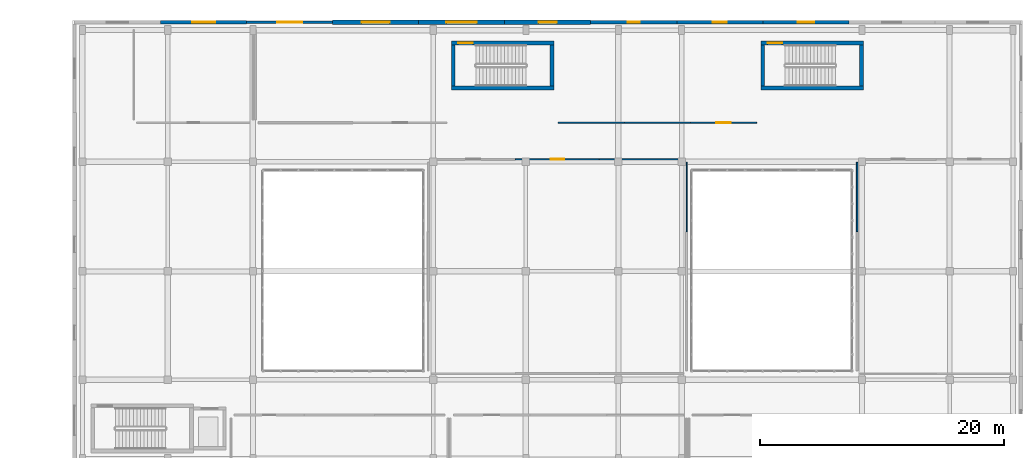
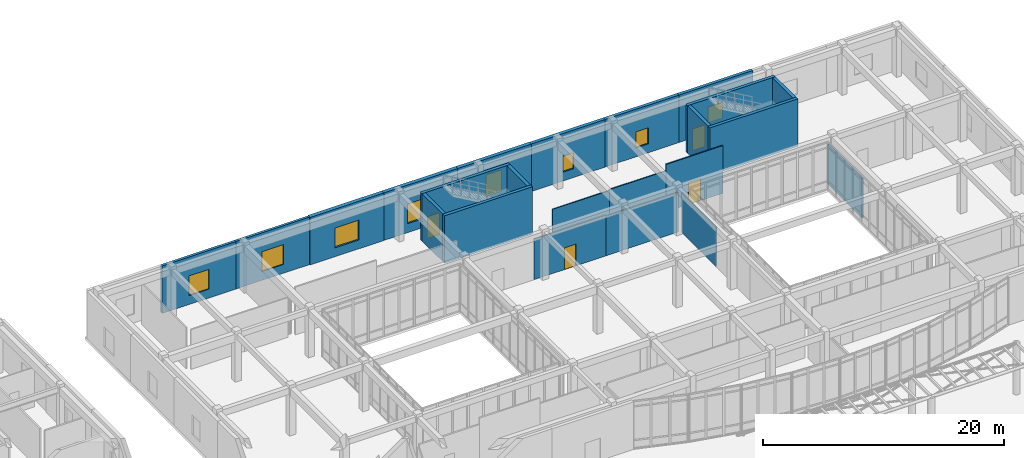
# One storey, part 105 of 121: 23 walls, 8 windows, 4 doors, 12 openings.
"""IFC4 building model written with IfcOpenShell, lengths in metres."""

from ifc_helpers import new_model, si_unit, direction, frame, frame_2d, origin, place, context, subcontext, project, spatial, rectangle, extrude, material, layer, layer_set, type_object, element, fill, save


model = new_model("IFC4")

# Units and contexts
model_context = context("Model", 3, precision=1e-05, world=origin(), true_north=direction((0.0, 1.0)))
body_context = subcontext(model_context, "Body", "Model", "MODEL_VIEW")
ifc_project = project(units=[si_unit("LENGTHUNIT", "METRE"), si_unit("AREAUNIT", "SQUARE_METRE"), si_unit("VOLUMEUNIT", "CUBIC_METRE"), si_unit("PLANEANGLEUNIT", "RADIAN"), si_unit("MASSUNIT", "GRAM", prefix="KILO")], contexts=[model_context])

# Site, building, storey
site_placement = place(None, origin())
site = spatial("IfcSite", under=ifc_project, at=site_placement, CompositionType="ELEMENT")
building_placement = place(site_placement, origin())
building = spatial("IfcBuilding", under=site, at=building_placement, Name="Valcora Specialist Clinic", CompositionType="ELEMENT")
storey_placement = place(building_placement, origin())
storey = spatial("IfcBuildingStorey", under=building, at=storey_placement, Name="L00", CompositionType="ELEMENT", Elevation=0.0)

# Wall
ifc_material_1 = material(Name="Concrete C40/50", Category="concrete")
ifc_layer_1 = layer(ifc_material_1, 0.300048828125)
ifc_layer_set_1 = layer_set([ifc_layer_1], Name="Concrete C40/50")
wall_type_1 = type_object("IfcWallType", Name="TY-WL-CR300", PredefinedType="SHEAR", material=ifc_layer_set_1)
wall_1_placement = place(storey_placement, frame((92.300048828125, 105.25, 0.0), z_axis=(0.0, 0.0, 1.0), x_axis=(1.0, 0.0, 0.0)))
element("IfcWall", 1, at=wall_1_placement, inside=storey, type_object=wall_type_1, Name="Core shear wall WL-CR-C-V4B-L00-S", PredefinedType="SHEAR", context=body_context, shape_type="SweptSolid", body=[
    extrude(rectangle(XDim=8.419921875, YDim=0.300048828125, at=frame_2d((4.2099609375, 0.0))), origin(), (0.0, 0.0, 1.0), 4.81005859375),
])

# Wall, opening, door
wall_2_placement = place(storey_placement, frame((92.300048828125, 108.949951171875, 0.0), z_axis=(0.0, 0.0, 1.0), x_axis=(1.0, 0.0, 0.0)))
wall_2 = element("IfcWall", 2, at=wall_2_placement, inside=storey, type_object=wall_type_1, Name="Core shear wall WL-CR-C-V4B-L00-N", PredefinedType="SHEAR", context=body_context, shape_type="SweptSolid", body=[
    extrude(rectangle(XDim=8.419921875, YDim=0.300048828125, at=frame_2d((4.2099609375, 0.0))), origin(), (0.0, 0.0, 1.0), 4.81005859375),
])
opening_1_placement = place(wall_2_placement, frame((0.550048828125, 0.0, 0.0)))
opening_1 = element("IfcOpeningElement", 3, at=opening_1_placement, cuts=wall_2, Name="Opening DR-FD-120", PredefinedType="OPENING", context=body_context, shape_type="SweptSolid", body=[
    extrude(rectangle(XDim=1.199951171875, YDim=2.199951171875, at=frame_2d((0.60009765625, 1.10009765625))), frame((0.0, 0.159912109375, 0.0), z_axis=(0.0, -1.0, 0.0), x_axis=(1.0, 0.0, 0.0)), (0.0, 0.0, 1.0), 0.320068359375),
])
ifc_material_2 = material(Name="Galvanized Hollow Metal Door Steel ASTM A653", Category="steel")
door_type_1 = type_object("IfcDoorType", Name="TY-DR-ST120", OperationType="NOTDEFINED", PredefinedType="DOOR", material=ifc_material_2)
door_1_placement = place(opening_1_placement, origin())
door_1 = element("IfcDoor", 4, at=door_1_placement, inside=storey, type_object=door_type_1, Name="Exit stair fire door C-V4B L00", OperationType="SINGLE_SWING_RIGHT", OverallHeight=2.199951171875, OverallWidth=1.199951171875, PredefinedType="DOOR", context=body_context, shape_type="SweptSolid", body=[
    extrude(rectangle(XDim=1.199951171875, YDim=2.199951171875, at=frame_2d((0.60009765625, 1.10009765625))), frame((0.0, 0.02490234375, 0.0), z_axis=(0.0, -1.0, 0.0), x_axis=(1.0, 0.0, 0.0)), (0.0, 0.0, 1.0), 0.050048828125),
])
fill(opening_1, door_1)

# Walls
wall_3_placement = place(storey_placement, frame((92.449951171875, 105.402099609375, 0.0), z_axis=(0.0, 0.0, 1.0), x_axis=(0.0, 1.0, 0.0)))
element("IfcWall", 5, at=wall_3_placement, inside=storey, type_object=wall_type_1, Name="Core shear wall WL-CR-C-V4B-L00-W", PredefinedType="SHEAR", context=body_context, shape_type="SweptSolid", body=[
    extrude(rectangle(XDim=3.39599609375, YDim=0.300048828125, at=frame_2d((1.697998046875, 0.0))), origin(), (0.0, 0.0, 1.0), 4.81005859375),
])
wall_4_placement = place(storey_placement, frame((117.699951171875, 105.25, 0.0), z_axis=(0.0, 0.0, 1.0), x_axis=(1.0, 0.0, 0.0)))
element("IfcWall", 6, at=wall_4_placement, inside=storey, type_object=wall_type_1, Name="Core shear wall WL-CR-C-V4C-L00-S", PredefinedType="SHEAR", context=body_context, shape_type="SweptSolid", body=[
    extrude(rectangle(XDim=8.420166015625, YDim=0.300048828125, at=frame_2d((4.2099609375, 0.0))), origin(), (0.0, 0.0, 1.0), 4.81005859375),
])

# Wall, opening, door
wall_5_placement = place(storey_placement, frame((117.699951171875, 108.949951171875, 0.0), z_axis=(0.0, 0.0, 1.0), x_axis=(1.0, 0.0, 0.0)))
wall_5 = element("IfcWall", 7, at=wall_5_placement, inside=storey, type_object=wall_type_1, Name="Core shear wall WL-CR-C-V4C-L00-N", PredefinedType="SHEAR", context=body_context, shape_type="SweptSolid", body=[
    extrude(rectangle(XDim=8.420166015625, YDim=0.300048828125, at=frame_2d((4.2099609375, 0.0))), origin(), (0.0, 0.0, 1.0), 4.81005859375),
])
opening_2_placement = place(wall_5_placement, frame((0.550048828125, 0.0, 0.0)))
opening_2 = element("IfcOpeningElement", 8, at=opening_2_placement, cuts=wall_5, Name="Opening DR-FD-120", PredefinedType="OPENING", context=body_context, shape_type="SweptSolid", body=[
    extrude(rectangle(XDim=1.199951171875, YDim=2.199951171875, at=frame_2d((0.60009765625, 1.10009765625))), frame((0.0, 0.159912109375, 0.0), z_axis=(0.0, -1.0, 0.0), x_axis=(1.0, 0.0, 0.0)), (0.0, 0.0, 1.0), 0.320068359375),
])
door_2_placement = place(opening_2_placement, origin())
door_2 = element("IfcDoor", 9, at=door_2_placement, inside=storey, type_object=door_type_1, Name="Exit stair fire door C-V4C L00", OperationType="SINGLE_SWING_RIGHT", OverallHeight=2.199951171875, OverallWidth=1.199951171875, PredefinedType="DOOR", context=body_context, shape_type="SweptSolid", body=[
    extrude(rectangle(XDim=1.199951171875, YDim=2.199951171875, at=frame_2d((0.60009765625, 1.10009765625))), frame((0.0, 0.02490234375, 0.0), z_axis=(0.0, -1.0, 0.0), x_axis=(1.0, 0.0, 0.0)), (0.0, 0.0, 1.0), 0.050048828125),
])
fill(opening_2, door_2)

# Walls
wall_6_placement = place(storey_placement, frame((117.85009765625, 105.402099609375, 0.0), z_axis=(0.0, 0.0, 1.0), x_axis=(0.0, 1.0, 0.0)))
element("IfcWall", 10, at=wall_6_placement, inside=storey, type_object=wall_type_1, Name="Core shear wall WL-CR-C-V4C-L00-W", PredefinedType="SHEAR", context=body_context, shape_type="SweptSolid", body=[
    extrude(rectangle(XDim=3.39599609375, YDim=0.300048828125, at=frame_2d((1.697998046875, 0.0))), origin(), (0.0, 0.0, 1.0), 4.81005859375),
])
ifc_layer_2 = layer(ifc_material_1, 0.320068359375)
ifc_layer_set_2 = layer_set([ifc_layer_2], Name="Concrete C40/50")
wall_type_2 = type_object("IfcWallType", Name="TY-WL-CR320", PredefinedType="SHEAR", material=ifc_layer_set_2)
for number, where, z_axis, x_axis, name in (
    (11, (100.56005859375, 105.402099609375, 0.0), (0.0, 0.0, 1.0), (0.0, 1.0, 0.0), "Core shear wall WL-CR-C-V4B-L00-E"),
    (12, (125.9599609375, 105.402099609375, 0.0), (0.0, 0.0, 1.0), (0.0, 1.0, 0.0), "Core shear wall WL-CR-C-V4C-L00-E"),
):
    element("IfcWall", number, at=place(storey_placement, frame(where, z_axis=z_axis, x_axis=x_axis)), inside=storey, type_object=wall_type_2, Name=name, PredefinedType="SHEAR", context=body_context, shape_type="SweptSolid", body=[
        extrude(rectangle(XDim=3.39599609375, YDim=0.320068359375, at=frame_2d((1.697998046875, 0.0))), origin(), (0.0, 0.0, 1.0), 4.81005859375),
    ])

# Wall, opening, window
ifc_material_3 = material(Name="Extruded Jalisco Clay Brick Masonry", Category="masonry")
ifc_layer_3 = layer(ifc_material_3, 0.235107421875)
ifc_layer_set_3 = layer_set([ifc_layer_3], Name="Extruded Jalisco Clay Brick Masonry")
wall_type_3 = type_object("IfcWallType", Name="TY-WL-EW235", PredefinedType="SOLIDWALL", material=ifc_layer_set_3)
wall_7_placement = place(storey_placement, frame((75.477294921875, 110.64990234375, 0.0), z_axis=(0.0, 0.0, 1.0), x_axis=(1.0, 0.0, 0.0)))
wall_7 = element("IfcWall", 13, at=wall_7_placement, inside=storey, type_object=wall_type_3, Name="Exterior wall WL-EXT-L00-0130", PredefinedType="SOLIDWALL", context=body_context, shape_type="SweptSolid", body=[
    extrude(rectangle(XDim=7.063720703125, YDim=0.235107421875, at=frame_2d((3.53173828125, 0.0))), origin(), (0.0, 0.0, 1.0), 4.81005859375),
])
opening_3_placement = place(wall_7_placement, frame((2.507080078125, 0.0, 0.89990234375)))
opening_3 = element("IfcOpeningElement", 14, at=opening_3_placement, cuts=wall_7, Name="Opening WN-27", PredefinedType="OPENING", context=body_context, shape_type="SweptSolid", body=[
    extrude(rectangle(XDim=2.050048828125, YDim=2.0, at=frame_2d((1.02490234375, 1.0))), frame((0.0, 0.12744140625, 0.0), z_axis=(0.0, -1.0, 0.0), x_axis=(1.0, 0.0, 0.0)), (0.0, 0.0, 1.0), 0.255126953125),
])
ifc_material_4 = material(Name="Low-E Laminated Insulating Glass", Category="glass")
window_type_1 = type_object("IfcWindowType", Name="TY-WN-27", PartitioningType="SINGLE_PANEL", PredefinedType="WINDOW", material=ifc_material_4)
window_1_placement = place(opening_3_placement, origin())
window_1 = element("IfcWindow", 15, at=window_1_placement, inside=storey, type_object=window_type_1, Name="Facade window WN-L00-0111", OverallHeight=2.0, OverallWidth=2.050048828125, PartitioningType="SINGLE_PANEL", PredefinedType="WINDOW", context=body_context, shape_type="SweptSolid", body=[
    extrude(rectangle(XDim=2.050048828125, YDim=2.0, at=frame_2d((1.02490234375, 1.0))), frame((0.0, 0.030029296875, 0.0), z_axis=(0.0, -1.0, 0.0), x_axis=(1.0, 0.0, 0.0)), (0.0, 0.0, 1.0), 0.06005859375),
])
fill(opening_3, window_1)

ifc_layer_4 = layer(ifc_material_3, 0.25)
ifc_layer_set_4 = layer_set([ifc_layer_4], Name="Extruded Jalisco Clay Brick Masonry")
wall_type_4 = type_object("IfcWallType", Name="TY-WL-EW250", PredefinedType="SOLIDWALL", material=ifc_layer_set_4)
wall_8_placement = place(storey_placement, frame((68.41357421875, 110.64990234375, 0.0), z_axis=(0.0, 0.0, 1.0), x_axis=(1.0, 0.0, 0.0)))
wall_8 = element("IfcWall", 16, at=wall_8_placement, inside=storey, type_object=wall_type_4, Name="Exterior wall WL-EXT-L00-0129", PredefinedType="SOLIDWALL", context=body_context, shape_type="SweptSolid", body=[
    extrude(rectangle(XDim=7.063720703125, YDim=0.25, at=frame_2d((3.53173828125, 0.0))), origin(), (0.0, 0.0, 1.0), 4.81005859375),
])
opening_4_placement = place(wall_8_placement, frame((2.58203125, 0.0, 0.89990234375)))
opening_4 = element("IfcOpeningElement", 17, at=opening_4_placement, cuts=wall_8, Name="Opening WN-26", PredefinedType="OPENING", context=body_context, shape_type="SweptSolid", body=[
    extrude(rectangle(XDim=1.89990234375, YDim=2.0, at=frame_2d((0.949951171875, 1.0))), frame((0.0, 0.135009765625, 0.0), z_axis=(0.0, -1.0, 0.0), x_axis=(1.0, 0.0, 0.0)), (0.0, 0.0, 1.0), 0.27001953125),
])
window_type_2 = type_object("IfcWindowType", Name="TY-WN-26", PartitioningType="SINGLE_PANEL", PredefinedType="WINDOW", material=ifc_material_4)
window_2_placement = place(opening_4_placement, origin())
window_2 = element("IfcWindow", 18, at=window_2_placement, inside=storey, type_object=window_type_2, Name="Facade window WN-L00-0110", OverallHeight=2.0, OverallWidth=1.89990234375, PartitioningType="SINGLE_PANEL", PredefinedType="WINDOW", context=body_context, shape_type="SweptSolid", body=[
    extrude(rectangle(XDim=1.89990234375, YDim=2.0, at=frame_2d((0.949951171875, 1.0))), frame((0.0, 0.030029296875, 0.0), z_axis=(0.0, -1.0, 0.0), x_axis=(1.0, 0.0, 0.0)), (0.0, 0.0, 1.0), 0.06005859375),
])
fill(opening_4, window_2)

ifc_layer_5 = layer(ifc_material_3, 0.294921875)
ifc_layer_set_5 = layer_set([ifc_layer_5], Name="Extruded Jalisco Clay Brick Masonry")
wall_type_5 = type_object("IfcWallType", Name="TY-WL-EW295", PredefinedType="SOLIDWALL", material=ifc_layer_set_5)
wall_9_placement = place(storey_placement, frame((117.859130859375, 110.64990234375, 0.0), z_axis=(0.0, 0.0, 1.0), x_axis=(1.0, 0.0, 0.0)))
wall_9 = element("IfcWall", 19, at=wall_9_placement, inside=storey, type_object=wall_type_5, Name="Exterior wall WL-EXT-L00-0136", PredefinedType="SOLIDWALL", context=body_context, shape_type="SweptSolid", body=[
    extrude(rectangle(XDim=7.0634765625, YDim=0.294921875, at=frame_2d((3.53173828125, 0.0))), origin(), (0.0, 0.0, 1.0), 4.81005859375),
])
opening_5_placement = place(wall_9_placement, frame((2.85205078125, 0.0, 0.89990234375)))
opening_5 = element("IfcOpeningElement", 20, at=opening_5_placement, cuts=wall_9, Name="Opening WN-33", PredefinedType="OPENING", context=body_context, shape_type="SweptSolid", body=[
    extrude(rectangle(XDim=1.360107421875, YDim=1.6201171875, at=frame_2d((0.68017578125, 0.81005859375))), frame((0.0, 0.157470703125, 0.0), z_axis=(0.0, -1.0, 0.0), x_axis=(1.0, 0.0, 0.0)), (0.0, 0.0, 1.0), 0.31494140625),
])
window_type_3 = type_object("IfcWindowType", Name="TY-WN-33", PartitioningType="SINGLE_PANEL", PredefinedType="WINDOW", material=ifc_material_4)
window_3_placement = place(opening_5_placement, origin())
window_3 = element("IfcWindow", 21, at=window_3_placement, inside=storey, type_object=window_type_3, Name="Facade window WN-L00-0117", OverallHeight=1.6201171875, OverallWidth=1.360107421875, PartitioningType="SINGLE_PANEL", PredefinedType="WINDOW", context=body_context, shape_type="SweptSolid", body=[
    extrude(rectangle(XDim=1.360107421875, YDim=1.6201171875, at=frame_2d((0.68017578125, 0.81005859375))), frame((0.0, 0.030029296875, 0.0), z_axis=(0.0, -1.0, 0.0), x_axis=(1.0, 0.0, 0.0)), (0.0, 0.0, 1.0), 0.06005859375),
])
fill(opening_5, window_3)

ifc_layer_6 = layer(ifc_material_3, 0.31005859375)
ifc_layer_set_6 = layer_set([ifc_layer_6], Name="Extruded Jalisco Clay Brick Masonry")
wall_type_6 = type_object("IfcWallType", Name="TY-WL-EW310", PredefinedType="SOLIDWALL", material=ifc_layer_set_6)
wall_10_placement = place(storey_placement, frame((110.79541015625, 110.64990234375, 0.0), z_axis=(0.0, 0.0, 1.0), x_axis=(1.0, 0.0, 0.0)))
wall_10 = element("IfcWall", 22, at=wall_10_placement, inside=storey, type_object=wall_type_6, Name="Exterior wall WL-EXT-L00-0135", PredefinedType="SOLIDWALL", context=body_context, shape_type="SweptSolid", body=[
    extrude(rectangle(XDim=7.063720703125, YDim=0.31005859375, at=frame_2d((3.53173828125, 0.0))), origin(), (0.0, 0.0, 1.0), 4.81005859375),
])
opening_6_placement = place(wall_10_placement, frame((2.94189453125, 0.0, 0.89990234375)))
opening_6 = element("IfcOpeningElement", 23, at=opening_6_placement, cuts=wall_10, Name="Opening WN-32", PredefinedType="OPENING", context=body_context, shape_type="SweptSolid", body=[
    extrude(rectangle(XDim=1.179931640625, YDim=1.6201171875, at=frame_2d((0.58984375, 0.81005859375))), frame((0.0, 0.1650390625, 0.0), z_axis=(0.0, -1.0, 0.0), x_axis=(1.0, 0.0, 0.0)), (0.0, 0.0, 1.0), 0.330078125),
])
window_type_4 = type_object("IfcWindowType", Name="TY-WN-32", PartitioningType="SINGLE_PANEL", PredefinedType="WINDOW", material=ifc_material_4)
window_4_placement = place(opening_6_placement, origin())
window_4 = element("IfcWindow", 24, at=window_4_placement, inside=storey, type_object=window_type_4, Name="Facade window WN-L00-0116", OverallHeight=1.6201171875, OverallWidth=1.179931640625, PartitioningType="SINGLE_PANEL", PredefinedType="WINDOW", context=body_context, shape_type="SweptSolid", body=[
    extrude(rectangle(XDim=1.179931640625, YDim=1.6201171875, at=frame_2d((0.58984375, 0.81005859375))), frame((0.0, 0.030029296875, 0.0), z_axis=(0.0, -1.0, 0.0), x_axis=(1.0, 0.0, 0.0)), (0.0, 0.0, 1.0), 0.06005859375),
])
fill(opening_6, window_4)

ifc_layer_7 = layer(ifc_material_3, 0.324951171875)
ifc_layer_set_7 = layer_set([ifc_layer_7], Name="Extruded Jalisco Clay Brick Masonry")
wall_type_7 = type_object("IfcWallType", Name="TY-WL-EW325", PredefinedType="SOLIDWALL", material=ifc_layer_set_7)
wall_11_placement = place(storey_placement, frame((103.731689453125, 110.64990234375, 0.0), z_axis=(0.0, 0.0, 1.0), x_axis=(1.0, 0.0, 0.0)))
wall_11 = element("IfcWall", 25, at=wall_11_placement, inside=storey, type_object=wall_type_7, Name="Exterior wall WL-EXT-L00-0134", PredefinedType="SOLIDWALL", context=body_context, shape_type="SweptSolid", body=[
    extrude(rectangle(XDim=7.063720703125, YDim=0.324951171875, at=frame_2d((3.53173828125, 0.0))), origin(), (0.0, 0.0, 1.0), 4.81005859375),
])
opening_7_placement = place(wall_11_placement, frame((3.031982421875, 0.0, 0.89990234375)))
opening_7 = element("IfcOpeningElement", 26, at=opening_7_placement, cuts=wall_11, Name="Opening WN-31", PredefinedType="OPENING", context=body_context, shape_type="SweptSolid", body=[
    extrude(rectangle(XDim=1.0, YDim=1.6201171875, at=frame_2d((0.5, 0.81005859375))), frame((0.0, 0.17236328125, 0.0), z_axis=(0.0, -1.0, 0.0), x_axis=(1.0, 0.0, 0.0)), (0.0, 0.0, 1.0), 0.344970703125),
])
window_type_5 = type_object("IfcWindowType", Name="TY-WN-31", PartitioningType="SINGLE_PANEL", PredefinedType="WINDOW", material=ifc_material_4)
window_5_placement = place(opening_7_placement, origin())
window_5 = element("IfcWindow", 27, at=window_5_placement, inside=storey, type_object=window_type_5, Name="Facade window WN-L00-0115", OverallHeight=1.6201171875, OverallWidth=1.0, PartitioningType="SINGLE_PANEL", PredefinedType="WINDOW", context=body_context, shape_type="SweptSolid", body=[
    extrude(rectangle(XDim=1.0, YDim=1.6201171875, at=frame_2d((0.5, 0.81005859375))), frame((0.0, 0.030029296875, 0.0), z_axis=(0.0, -1.0, 0.0), x_axis=(1.0, 0.0, 0.0)), (0.0, 0.0, 1.0), 0.06005859375),
])
fill(opening_7, window_5)

ifc_layer_8 = layer(ifc_material_3, 0.340087890625)
ifc_layer_set_8 = layer_set([ifc_layer_8], Name="Extruded Jalisco Clay Brick Masonry")
wall_type_8 = type_object("IfcWallType", Name="TY-WL-EW340", PredefinedType="SOLIDWALL", material=ifc_layer_set_8)
wall_12_placement = place(storey_placement, frame((96.668212890625, 110.64990234375, 0.0), z_axis=(0.0, 0.0, 1.0), x_axis=(1.0, 0.0, 0.0)))
wall_12 = element("IfcWall", 28, at=wall_12_placement, inside=storey, type_object=wall_type_8, Name="Exterior wall WL-EXT-L00-0133", PredefinedType="SOLIDWALL", context=body_context, shape_type="SweptSolid", body=[
    extrude(rectangle(XDim=7.0634765625, YDim=0.340087890625, at=frame_2d((3.53173828125, 0.0))), origin(), (0.0, 0.0, 1.0), 4.81005859375),
])
opening_8_placement = place(wall_12_placement, frame((2.781982421875, 0.0, 0.89990234375)))
opening_8 = element("IfcOpeningElement", 29, at=opening_8_placement, cuts=wall_12, Name="Opening WN-30", PredefinedType="OPENING", context=body_context, shape_type="SweptSolid", body=[
    extrude(rectangle(XDim=1.5, YDim=2.199951171875, at=frame_2d((0.75, 1.10009765625))), frame((0.0, 0.179931640625, 0.0), z_axis=(0.0, -1.0, 0.0), x_axis=(1.0, 0.0, 0.0)), (0.0, 0.0, 1.0), 0.360107421875),
])
window_type_6 = type_object("IfcWindowType", Name="TY-WN-30", PartitioningType="SINGLE_PANEL", PredefinedType="WINDOW", material=ifc_material_4)
window_6_placement = place(opening_8_placement, origin())
window_6 = element("IfcWindow", 30, at=window_6_placement, inside=storey, type_object=window_type_6, Name="Facade window WN-L00-0114", OverallHeight=2.199951171875, OverallWidth=1.5, PartitioningType="SINGLE_PANEL", PredefinedType="WINDOW", context=body_context, shape_type="SweptSolid", body=[
    extrude(rectangle(XDim=1.5, YDim=2.199951171875, at=frame_2d((0.75, 1.10009765625))), frame((0.0, 0.030029296875, 0.0), z_axis=(0.0, -1.0, 0.0), x_axis=(1.0, 0.0, 0.0)), (0.0, 0.0, 1.0), 0.06005859375),
])
fill(opening_8, window_6)

ifc_layer_9 = layer(ifc_material_3, 0.35498046875)
ifc_layer_set_9 = layer_set([ifc_layer_9], Name="Extruded Jalisco Clay Brick Masonry")
wall_type_9 = type_object("IfcWallType", Name="TY-WL-EW355", PredefinedType="SOLIDWALL", material=ifc_layer_set_9)
wall_13_placement = place(storey_placement, frame((89.6044921875, 110.64990234375, 0.0), z_axis=(0.0, 0.0, 1.0), x_axis=(1.0, 0.0, 0.0)))
wall_13 = element("IfcWall", 31, at=wall_13_placement, inside=storey, type_object=wall_type_9, Name="Exterior wall WL-EXT-L00-0132", PredefinedType="SOLIDWALL", context=body_context, shape_type="SweptSolid", body=[
    extrude(rectangle(XDim=7.063720703125, YDim=0.35498046875, at=frame_2d((3.53173828125, 0.0))), origin(), (0.0, 0.0, 1.0), 4.81005859375),
])
opening_9_placement = place(wall_13_placement, frame((2.281982421875, 0.0, 0.89990234375)))
opening_9 = element("IfcOpeningElement", 32, at=opening_9_placement, cuts=wall_13, Name="Opening WN-29", PredefinedType="OPENING", context=body_context, shape_type="SweptSolid", body=[
    extrude(rectangle(XDim=2.5, YDim=2.0, at=frame_2d((1.25, 1.0))), frame((0.0, 0.1875, 0.0), z_axis=(0.0, -1.0, 0.0), x_axis=(1.0, 0.0, 0.0)), (0.0, 0.0, 1.0), 0.375),
])
window_type_7 = type_object("IfcWindowType", Name="TY-WN-29", PartitioningType="SINGLE_PANEL", PredefinedType="WINDOW", material=ifc_material_4)
window_7_placement = place(opening_9_placement, origin())
window_7 = element("IfcWindow", 33, at=window_7_placement, inside=storey, type_object=window_type_7, Name="Facade window WN-L00-0113", OverallHeight=2.0, OverallWidth=2.5, PartitioningType="SINGLE_PANEL", PredefinedType="WINDOW", context=body_context, shape_type="SweptSolid", body=[
    extrude(rectangle(XDim=2.5, YDim=2.0, at=frame_2d((1.25, 1.0))), frame((0.0, 0.030029296875, 0.0), z_axis=(0.0, -1.0, 0.0), x_axis=(1.0, 0.0, 0.0)), (0.0, 0.0, 1.0), 0.06005859375),
])
fill(opening_9, window_7)

ifc_layer_10 = layer(ifc_material_3, 0.3701171875)
ifc_layer_set_10 = layer_set([ifc_layer_10], Name="Extruded Jalisco Clay Brick Masonry")
wall_type_10 = type_object("IfcWallType", Name="TY-WL-EW370", PredefinedType="SOLIDWALL", material=ifc_layer_set_10)
wall_14_placement = place(storey_placement, frame((82.541015625, 110.64990234375, 0.0), z_axis=(0.0, 0.0, 1.0), x_axis=(1.0, 0.0, 0.0)))
wall_14 = element("IfcWall", 34, at=wall_14_placement, inside=storey, type_object=wall_type_10, Name="Exterior wall WL-EXT-L00-0131", PredefinedType="SOLIDWALL", context=body_context, shape_type="SweptSolid", body=[
    extrude(rectangle(XDim=7.0634765625, YDim=0.3701171875, at=frame_2d((3.53173828125, 0.0))), origin(), (0.0, 0.0, 1.0), 4.81005859375),
])
opening_10_placement = place(wall_14_placement, frame((2.382080078125, 0.0, 0.89990234375)))
opening_10 = element("IfcOpeningElement", 35, at=opening_10_placement, cuts=wall_14, Name="Opening WN-28", PredefinedType="OPENING", context=body_context, shape_type="SweptSolid", body=[
    extrude(rectangle(XDim=2.300048828125, YDim=2.0, at=frame_2d((1.14990234375, 1.0))), frame((0.0, 0.195068359375, 0.0), z_axis=(0.0, -1.0, 0.0), x_axis=(1.0, 0.0, 0.0)), (0.0, 0.0, 1.0), 0.39013671875),
])
window_type_8 = type_object("IfcWindowType", Name="TY-WN-28", PartitioningType="SINGLE_PANEL", PredefinedType="WINDOW", material=ifc_material_4)
window_8_placement = place(opening_10_placement, origin())
window_8 = element("IfcWindow", 36, at=window_8_placement, inside=storey, type_object=window_type_8, Name="Facade window WN-L00-0112", OverallHeight=2.0, OverallWidth=2.300048828125, PartitioningType="SINGLE_PANEL", PredefinedType="WINDOW", context=body_context, shape_type="SweptSolid", body=[
    extrude(rectangle(XDim=2.300048828125, YDim=2.0, at=frame_2d((1.14990234375, 1.0))), frame((0.0, 0.030029296875, 0.0), z_axis=(0.0, -1.0, 0.0), x_axis=(1.0, 0.0, 0.0)), (0.0, 0.0, 1.0), 0.06005859375),
])
fill(opening_10, window_8)

# Walls
ifc_material_5 = material(Name="Gypsum Board Partition Assembly")
ifc_layer_11 = layer(ifc_material_5, 0.094970703125)
ifc_layer_set_11 = layer_set([ifc_layer_11], Name="Gypsum Board Partition Assembly")
wall_type_11 = type_object("IfcWallType", Name="TY-WL-PT095", PredefinedType="PARTITIONING", material=ifc_layer_set_11)
wall_15_placement = place(storey_placement, frame((111.60009765625, 99.14990234375, 0.0), z_axis=(0.0, 0.0, 1.0), x_axis=(0.0, -1.0, 0.0)))
element("IfcWall", 37, at=wall_15_placement, inside=storey, type_object=wall_type_11, Name="Interior partition WL-INT-L00-0089", PredefinedType="PARTITIONING", context=body_context, shape_type="SweptSolid", body=[
    extrude(rectangle(XDim=5.699951171875, YDim=0.094970703125, at=frame_2d((2.85009765625, 0.0))), origin(), (0.0, 0.0, 1.0), 4.010009765625),
])
wall_16_placement = place(storey_placement, frame((106.48291015625, 102.39990234375, 0.0), z_axis=(0.0, 0.0, 1.0), x_axis=(-1.0, 0.0, 0.0)))
element("IfcWall", 38, at=wall_16_placement, inside=storey, type_object=wall_type_11, Name="Interior partition WL-INT-L00-0113", PredefinedType="PARTITIONING", context=body_context, shape_type="SweptSolid", body=[
    extrude(rectangle(XDim=5.432861328125, YDim=0.094970703125, at=frame_2d((2.71630859375, 0.0))), origin(), (0.0, 0.0, 1.0), 4.06005859375),
])
ifc_layer_12 = layer(ifc_material_5, 0.10498046875)
ifc_layer_set_12 = layer_set([ifc_layer_12], Name="Gypsum Board Partition Assembly")
wall_type_12 = type_object("IfcWallType", Name="TY-WL-PT105", PredefinedType="PARTITIONING", material=ifc_layer_set_12)
wall_17_placement = place(storey_placement, frame((104.449951171875, 99.39990234375, 0.0), z_axis=(0.0, 0.0, 1.0), x_axis=(1.0, 0.0, 0.0)))
element("IfcWall", 39, at=wall_17_placement, inside=storey, type_object=wall_type_12, Name="Interior partition WL-INT-L00-0088", PredefinedType="PARTITIONING", context=body_context, shape_type="SweptSolid", body=[
    extrude(rectangle(XDim=6.900146484375, YDim=0.10498046875, at=frame_2d((3.4501953125, 0.0))), origin(), (0.0, 0.0, 1.0), 4.010009765625),
])
wall_18_placement = place(storey_placement, frame((111.9169921875, 102.39990234375, 0.0), z_axis=(0.0, 0.0, 1.0), x_axis=(-1.0, 0.0, 0.0)))
element("IfcWall", 40, at=wall_18_placement, inside=storey, type_object=wall_type_12, Name="Interior partition WL-INT-L00-0112", PredefinedType="PARTITIONING", context=body_context, shape_type="SweptSolid", body=[
    extrude(rectangle(XDim=5.43408203125, YDim=0.10498046875, at=frame_2d((2.717041015625, 0.0))), origin(), (0.0, 0.0, 1.0), 4.159912109375),
])

# Wall, opening, door
ifc_layer_13 = layer(ifc_material_5, 0.114990234375)
ifc_layer_set_13 = layer_set([ifc_layer_13], Name="Gypsum Board Partition Assembly")
wall_type_13 = type_object("IfcWallType", Name="TY-WL-PT115", PredefinedType="PARTITIONING", material=ifc_layer_set_13)
wall_19_placement = place(storey_placement, frame((97.550048828125, 99.39990234375, 0.0), z_axis=(0.0, 0.0, 1.0), x_axis=(1.0, 0.0, 0.0)))
wall_19 = element("IfcWall", 41, at=wall_19_placement, inside=storey, type_object=wall_type_13, Name="Interior partition WL-INT-L00-0087", PredefinedType="PARTITIONING", context=body_context, shape_type="SweptSolid", body=[
    extrude(rectangle(XDim=6.89990234375, YDim=0.114990234375, at=frame_2d((3.449951171875, 0.0))), origin(), (0.0, 0.0, 1.0), 4.110107421875),
])
opening_11_placement = place(wall_19_placement, frame((2.89990234375, 0.0, 0.0)))
opening_11 = element("IfcOpeningElement", 42, at=opening_11_placement, cuts=wall_19, Name="Opening DR-CN-110", PredefinedType="OPENING", context=body_context, shape_type="SweptSolid", body=[
    extrude(rectangle(XDim=1.10009765625, YDim=2.199951171875, at=frame_2d((0.550048828125, 1.10009765625))), frame((0.0, 0.0673828125, 0.0), z_axis=(0.0, -1.0, 0.0), x_axis=(1.0, 0.0, 0.0)), (0.0, 0.0, 1.0), 0.135009765625),
])
ifc_material_6 = material(Name="Glulam Conifer Class 24F", Category="wood")
door_type_2 = type_object("IfcDoorType", Name="TY-DR-CN110", OperationType="NOTDEFINED", PredefinedType="DOOR", material=ifc_material_6)
door_3_placement = place(opening_11_placement, origin())
door_3 = element("IfcDoor", 43, at=door_3_placement, inside=storey, type_object=door_type_2, Name="Interior door DR-INT-L00-0025", OperationType="SINGLE_SWING_LEFT", OverallHeight=2.199951171875, OverallWidth=1.10009765625, PredefinedType="DOOR", context=body_context, shape_type="SweptSolid", body=[
    extrude(rectangle(XDim=1.10009765625, YDim=2.199951171875, at=frame_2d((0.550048828125, 1.10009765625))), frame((0.0, 0.02490234375, 0.0), z_axis=(0.0, -1.0, 0.0), x_axis=(1.0, 0.0, 0.0)), (0.0, 0.0, 1.0), 0.050048828125),
])
fill(opening_11, door_3)

wall_20_placement = place(storey_placement, frame((117.35009765625, 102.39990234375, 0.0), z_axis=(0.0, 0.0, 1.0), x_axis=(-1.0, 0.0, 0.0)))
wall_20 = element("IfcWall", 44, at=wall_20_placement, inside=storey, type_object=wall_type_13, Name="Interior partition WL-INT-L00-0111", PredefinedType="PARTITIONING", context=body_context, shape_type="SweptSolid", body=[
    extrude(rectangle(XDim=5.43310546875, YDim=0.114990234375, at=frame_2d((2.716552734375, 0.0))), origin(), (0.0, 0.0, 1.0), 4.81005859375),
])
opening_12_placement = place(wall_20_placement, frame((2.1259765625, 0.0, 0.0)))
opening_12 = element("IfcOpeningElement", 45, at=opening_12_placement, cuts=wall_20, Name="Opening DR-CN-118", PredefinedType="OPENING", context=body_context, shape_type="SweptSolid", body=[
    extrude(rectangle(XDim=1.179931640625, YDim=2.199951171875, at=frame_2d((0.58984375, 1.10009765625))), frame((0.0, 0.0673828125, 0.0), z_axis=(0.0, -1.0, 0.0), x_axis=(1.0, 0.0, 0.0)), (0.0, 0.0, 1.0), 0.135009765625),
])
door_type_3 = type_object("IfcDoorType", Name="TY-DR-CN118", OperationType="NOTDEFINED", PredefinedType="DOOR", material=ifc_material_6)
door_4_placement = place(opening_12_placement, origin())
door_4 = element("IfcDoor", 46, at=door_4_placement, inside=storey, type_object=door_type_3, Name="Interior door DR-INT-L00-0030", OperationType="SINGLE_SWING_RIGHT", OverallHeight=2.199951171875, OverallWidth=1.179931640625, PredefinedType="DOOR", context=body_context, shape_type="SweptSolid", body=[
    extrude(rectangle(XDim=1.179931640625, YDim=2.199951171875, at=frame_2d((0.58984375, 1.10009765625))), frame((0.0, 0.02490234375, 0.0), z_axis=(0.0, -1.0, 0.0), x_axis=(1.0, 0.0, 0.0)), (0.0, 0.0, 1.0), 0.050048828125),
])
fill(opening_12, door_4)

# Wall
ifc_layer_14 = layer(ifc_material_5, 0.125)
ifc_layer_set_14 = layer_set([ifc_layer_14], Name="Gypsum Board Partition Assembly")
wall_type_14 = type_object("IfcWallType", Name="TY-WL-PT125", PredefinedType="PARTITIONING", material=ifc_layer_set_14)
wall_21_placement = place(storey_placement, frame((125.60009765625, 93.449951171875, 0.0), z_axis=(0.0, 0.0, 1.0), x_axis=(0.0, 1.0, 0.0)))
element("IfcWall", 47, at=wall_21_placement, inside=storey, type_object=wall_type_14, Name="Interior partition WL-INT-L00-0104", PredefinedType="PARTITIONING", context=body_context, shape_type="SweptSolid", body=[
    extrude(rectangle(XDim=5.699951171875, YDim=0.125, at=frame_2d((2.85009765625, 0.0))), origin(), (0.0, 0.0, 1.0), 4.010009765625),
])

save(model, "model.ifc")
